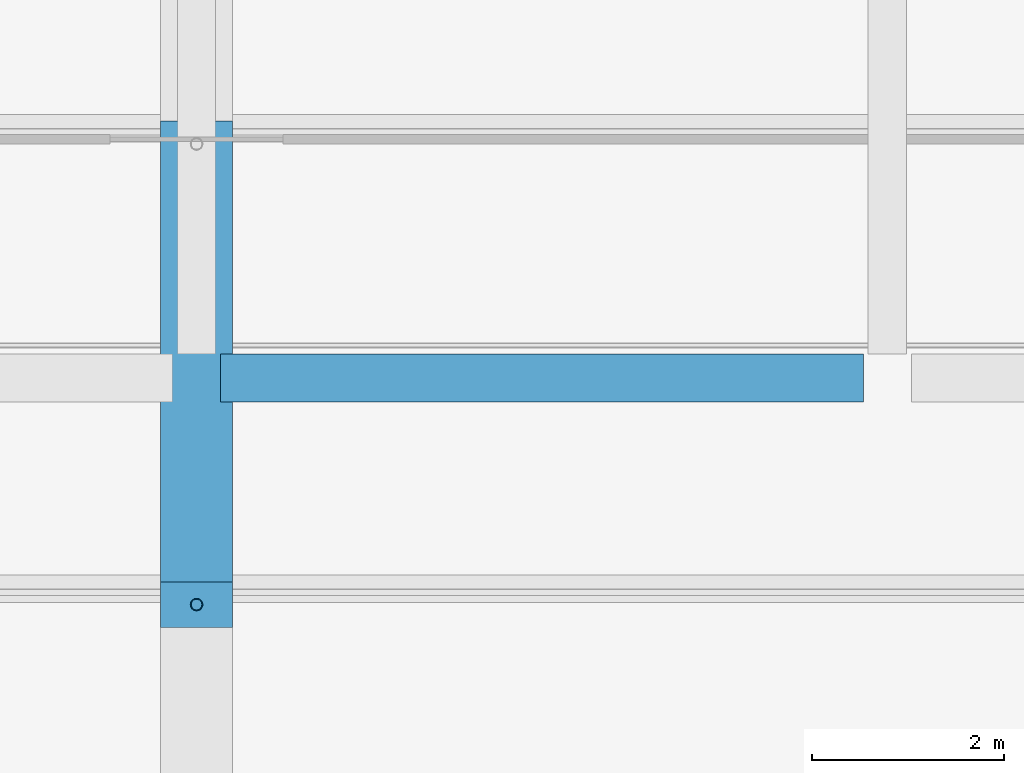
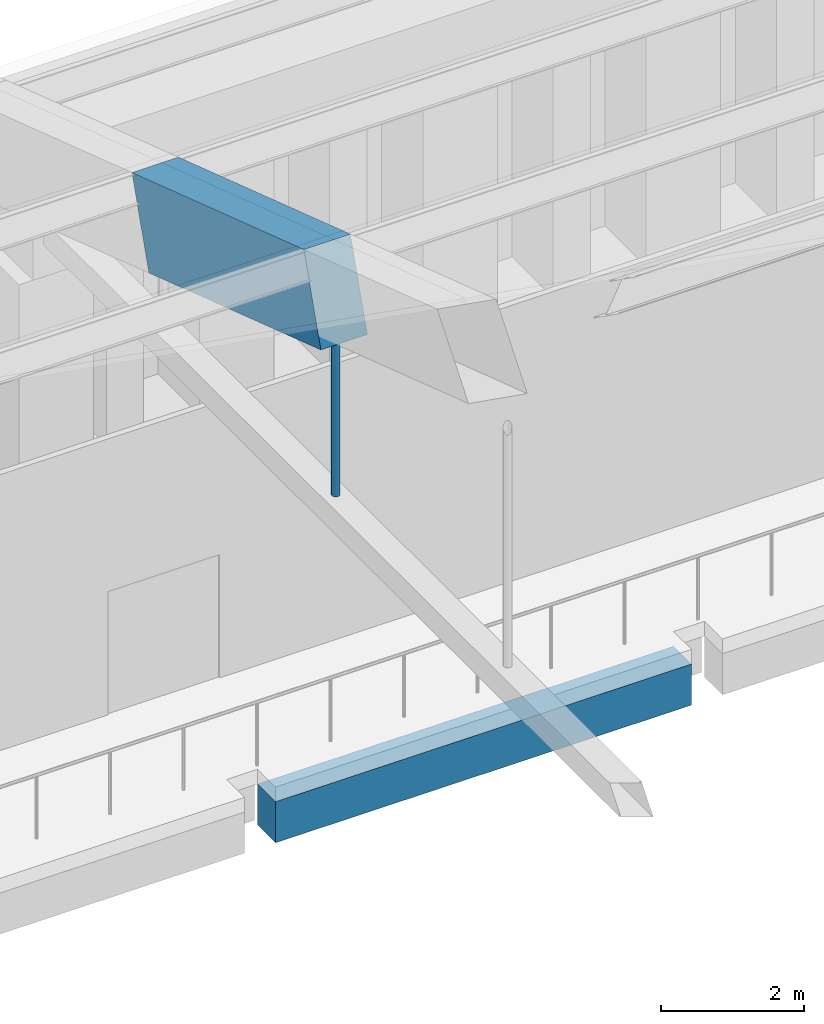
# One storey, part 46 of 149: 2 beams, 1 member.
"""IFC4 building model written with IfcOpenShell, lengths in metres."""

from ifc_helpers import new_model, si_unit, direction, frame, origin, origin_2d, place, context, subcontext, project, spatial, rectangle, hollow_circle, extrude, material, material_profile, profile_set, type_object, element, save


model = new_model("IFC4")

# Units and contexts
model_context = context("Model", 3, precision=1e-05, world=origin(), true_north=direction((0.0, 1.0)))
body_context = subcontext(model_context, "Body", "Model", "MODEL_VIEW")
ifc_project = project(units=[si_unit("LENGTHUNIT", "METRE"), si_unit("AREAUNIT", "SQUARE_METRE"), si_unit("VOLUMEUNIT", "CUBIC_METRE"), si_unit("PLANEANGLEUNIT", "RADIAN"), si_unit("MASSUNIT", "GRAM", prefix="KILO")], contexts=[model_context])

# Site, building, storey
site_placement = place(None, origin())
site = spatial("IfcSite", under=ifc_project, at=site_placement, CompositionType="ELEMENT")
building_placement = place(site_placement, origin())
building = spatial("IfcBuilding", under=site, at=building_placement, Name="Alderwick Market Hall", CompositionType="ELEMENT")
storey_placement = place(building_placement, frame((0.0, 0.0, 9.60009765625)))
storey = spatial("IfcBuildingStorey", under=building, at=storey_placement, Name="L01", CompositionType="ELEMENT", Elevation=9.60009765625)

# Beams
ifc_material_1 = material(Name="Concrete 5000 psi (f'c 35 MPa)", Category="concrete")
ifc_material_profile_1 = material_profile(ifc_material_1, rectangle(XDim=0.5, YDim=0.699951171875, at=origin_2d()), Name="RC 500x700")
ifc_profile_set_1 = profile_set([ifc_material_profile_1], Name="Concrete 5000 psi (f'c 35 MPa)")
beam_type_1 = type_object("IfcBeamType", Name="H Edge beam 500x700", PredefinedType="BEAM", material=ifc_profile_set_1)
beam_1_placement = place(storey_placement, frame((79.449951171875, 100.760009765625, -0.60009765625), z_axis=(1.0, 0.0, 0.0), x_axis=(0.0, 1.0, 0.0)))
element("IfcBeam", 1, at=beam_1_placement, inside=storey, type_object=beam_type_1, Name="Gallery edge beam N", PredefinedType="BEAM", context=body_context, shape_type="SweptSolid", body=[
    extrude(rectangle(XDim=0.5, YDim=0.699951171875, at=origin_2d()), origin(), (0.0, 0.0, 1.0), 6.699951171875),
])
ifc_material_profile_2 = material_profile(ifc_material_1, rectangle(XDim=0.75, YDim=1.5, at=origin_2d()), Name="RC 750x1500")
ifc_profile_set_2 = profile_set([ifc_material_profile_2], Name="Concrete 5000 psi (f'c 35 MPa)")
beam_type_2 = type_object("IfcBeamType", Name="R Arch Rib Springing 750x1500", PredefinedType="BEAM", material=ifc_profile_set_2)
beam_2_placement = place(storey_placement, frame((79.199951171875, 98.39990234375, 9.7998046875), z_axis=(0.0, 0.948692948114, -0.316198814353), x_axis=(-1.0, 0.0, 0.0)))
element("IfcBeam", 2, at=beam_2_placement, inside=storey, type_object=beam_type_2, Name="Arch rib 3 chord 11", PredefinedType="BEAM", context=body_context, shape_type="SweptSolid", body=[
    extrude(rectangle(XDim=0.75, YDim=1.5, at=origin_2d()), origin(), (0.0, 0.0, 1.0), 5.0595703125),
])

# Member
ifc_material_2 = material(Name="Steel ASTM A500 Grade C", Category="steel")
ifc_material_profile_3 = material_profile(ifc_material_2, hollow_circle(Radius=0.0634765625, WallThickness=0.005859375, at=origin_2d()), Name="HSS5.000x0.250")
ifc_profile_set_3 = profile_set([ifc_material_profile_3], Name="Steel ASTM A500 Grade C")
member_type = type_object("IfcMemberType", Name="R Hanger HSS5.000x0.250", PredefinedType="POST", material=ifc_profile_set_3)
member_placement = place(storey_placement, frame((79.199951171875, 98.39990234375, 6.35302734375), z_axis=(0.0, 0.0, 1.0), x_axis=(1.0, 0.0, 0.0)))
element("IfcMember", 3, at=member_placement, inside=storey, type_object=member_type, Name="Arch hanger 3.10", PredefinedType="POST", context=body_context, shape_type="SweptSolid", body=[
    extrude(hollow_circle(Radius=0.0634765625, WallThickness=0.005859375, at=origin_2d()), origin(), (0.0, 0.0, 1.0), 2.63525390625),
])

save(model, "model.ifc")
